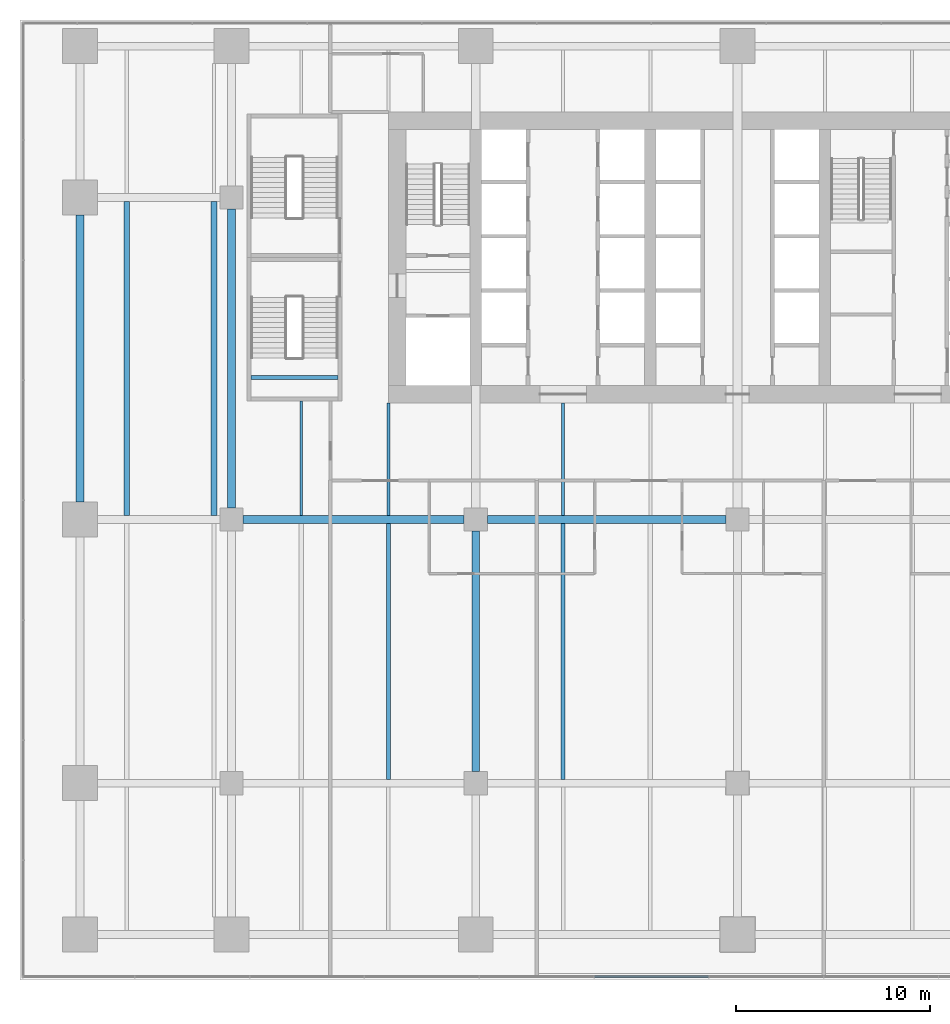
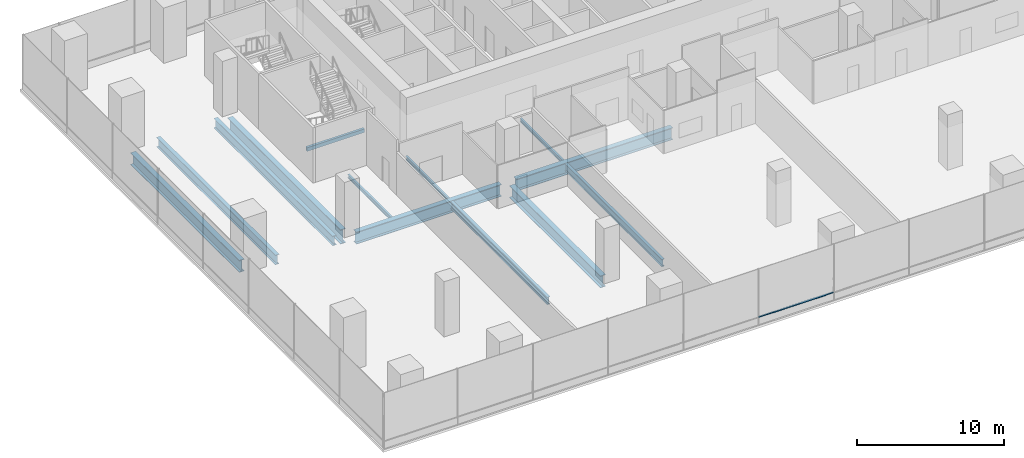
# One storey, part 5 of 29: 13 beams, 1 member, 1 element without a shape of its own.
"""IFC4 building model written with IfcOpenShell, lengths in metres."""

from ifc_helpers import new_model, si_unit, direction, frame, origin, origin_2d, place, context, subcontext, project, spatial, rectangle, i_section, extrude, material, layer, layer_set, material_profile, profile_set, type_object, element, aggregate, save


model = new_model("IFC4")

# Units and contexts
model_context = context("Model", 3, precision=1e-05, world=origin(), true_north=direction((0.0, 1.0)))
body_context = subcontext(model_context, "Body", "Model", "MODEL_VIEW")
ifc_project = project(units=[si_unit("LENGTHUNIT", "METRE"), si_unit("AREAUNIT", "SQUARE_METRE"), si_unit("VOLUMEUNIT", "CUBIC_METRE"), si_unit("PLANEANGLEUNIT", "RADIAN"), si_unit("MASSUNIT", "GRAM", prefix="KILO")], contexts=[model_context])

# Site, building, storey
site_placement = place(None, origin())
site = spatial("IfcSite", under=ifc_project, at=site_placement, CompositionType="ELEMENT")
building_placement = place(site_placement, origin())
building = spatial("IfcBuilding", under=site, at=building_placement, Name="Rattan Terrace Tower", CompositionType="ELEMENT")
storey_placement = place(building_placement, frame((0.0, 0.0, 12.60009765625)))
storey = spatial("IfcBuildingStorey", under=building, at=storey_placement, Name="L02", CompositionType="ELEMENT", Elevation=12.60009765625)

# Beams
ifc_material_1 = material(Name="Concrete C40/50", Category="concrete")
ifc_material_profile_1 = material_profile(ifc_material_1, rectangle(XDim=0.199951171875, YDim=0.300048828125, at=origin_2d()), Name="RC 200x300")
ifc_profile_set_1 = profile_set([ifc_material_profile_1], Name="Concrete C40/50")
beam_type_1 = type_object("IfcBeamType", Name="Core landing beam RC 200x300", PredefinedType="BEAM", material=ifc_profile_set_1)
beam_1_placement = place(storey_placement, frame((-25.10009765625, -6.18505859375, 2.0498046875), z_axis=(1.0, 0.0, 0.0), x_axis=(0.0, 1.0, 0.0)))
element("IfcBeam", 1, at=beam_1_placement, inside=storey, type_object=beam_type_1, Name="st-S4-L02 landing 1 edge beam", PredefinedType="BEAM", context=body_context, shape_type="SweptSolid", body=[
    extrude(rectangle(XDim=0.199951171875, YDim=0.300048828125, at=origin_2d()), origin(), (0.0, 0.0, 1.0), 4.5),
])
ifc_material_2 = material(Name="Steel S355", Category="steel")
ifc_material_profile_2 = material_profile(ifc_material_2, i_section(OverallWidth=0.300048828125, OverallDepth=0.800048828125, WebThickness=0.017578125, FlangeThickness=0.032958984375, FilletRadius=0.030029296875, at=origin_2d()), Name="HE 800 B")
ifc_profile_set_2 = profile_set([ifc_material_profile_2], Name="Steel S355")
beam_type_2 = type_object("IfcBeamType", Name="Frame floor beam HE 800 B", PredefinedType="JOIST", material=ifc_profile_set_2)
for number, where, z_axis, x_axis, name in (
    (2, (-31.5, -13.300048828125, -0.60009765625), (0.0, 1.0, 0.0), (-1.0, 0.0, 0.0), "bm-L02-027"),
    (3, (-27.0, -13.300048828125, -0.60009765625), (0.0, 1.0, 0.0), (-1.0, 0.0, 0.0), "bm-L02-028"),
):
    element("IfcBeam", number, at=place(storey_placement, frame(where, z_axis=z_axis, x_axis=x_axis)), inside=storey, type_object=beam_type_2, Name=name, PredefinedType="JOIST", context=body_context, shape_type="SweptSolid", body=[
        extrude(i_section(OverallWidth=0.300048828125, OverallDepth=0.800048828125, WebThickness=0.017578125, FlangeThickness=0.032958984375, FilletRadius=0.030029296875, at=origin_2d()), origin(), (0.0, 0.0, 1.0), 16.199951171875),
    ])
ifc_material_3 = material(Name="Steel S355", Category="steel")
ifc_material_profile_3 = material_profile(ifc_material_3, i_section(OverallWidth=0.14990234375, OverallDepth=0.300048828125, WebThickness=0.007080078125, FlangeThickness=0.0107421875, FilletRadius=0.014892578125, at=origin_2d()), Name="IPE 300")
ifc_profile_set_3 = profile_set([ifc_material_profile_3], Name="Steel S355")
beam_type_3 = type_object("IfcBeamType", Name="Frame floor beam IPE 300", PredefinedType="JOIST", material=ifc_profile_set_3)
beam_2_placement = place(storey_placement, frame((-22.5, -13.300048828125, -0.35009765625), z_axis=(0.0, 1.0, 0.0), x_axis=(-1.0, 0.0, 0.0)))
element("IfcBeam", 4, at=beam_2_placement, inside=storey, type_object=beam_type_3, Name="bm-L02-029", PredefinedType="JOIST", context=body_context, shape_type="SweptSolid", body=[
    extrude(i_section(OverallWidth=0.14990234375, OverallDepth=0.300048828125, WebThickness=0.007080078125, FlangeThickness=0.0107421875, FilletRadius=0.014892578125, at=origin_2d()), origin(), (0.0, 0.0, 1.0), 5.900146484375),
])
for number, where, z_axis, x_axis, name in (
    (5, (-18.0, -13.300048828125, -0.35009765625), (0.0, 1.0, 0.0), (-1.0, 0.0, 0.0), "bm-L02-030"),
    (6, (-9.0, -13.300048828125, -0.35009765625), (0.0, 1.0, 0.0), (-1.0, 0.0, 0.0), "bm-L02-031"),
):
    element("IfcBeam", number, at=place(storey_placement, frame(where, z_axis=z_axis, x_axis=x_axis)), inside=storey, type_object=beam_type_3, Name=name, PredefinedType="JOIST", context=body_context, shape_type="SweptSolid", body=[
        extrude(i_section(OverallWidth=0.14990234375, OverallDepth=0.300048828125, WebThickness=0.007080078125, FlangeThickness=0.0107421875, FilletRadius=0.014892578125, at=origin_2d()), origin(), (0.0, 0.0, 1.0), 5.800048828125),
    ])
ifc_material_4 = material(Name="Steel S355", Category="steel")
ifc_material_profile_4 = material_profile(ifc_material_4, i_section(OverallWidth=0.22412109375, OverallDepth=0.610107421875, WebThickness=0.014892578125, FlangeThickness=0.02392578125, FilletRadius=0.02392578125, at=origin_2d()), Name="IPE O 600")
ifc_profile_set_4 = profile_set([ifc_material_profile_4], Name="Steel S355")
beam_type_4 = type_object("IfcBeamType", Name="Frame floor beam IPE O 600", PredefinedType="JOIST", material=ifc_profile_set_4)
for number, where, z_axis, x_axis, name in (
    (7, (-18.0, -26.89990234375, -0.505126953125), (0.0, 1.0, 0.0), (-1.0, 0.0, 0.0), "bm-L02-018"),
    (8, (-9.0, -26.89990234375, -0.505126953125), (0.0, 1.0, 0.0), (-1.0, 0.0, 0.0), "bm-L02-019"),
):
    element("IfcBeam", number, at=place(storey_placement, frame(where, z_axis=z_axis, x_axis=x_axis)), inside=storey, type_object=beam_type_4, Name=name, PredefinedType="JOIST", context=body_context, shape_type="SweptSolid", body=[
        extrude(i_section(OverallWidth=0.22412109375, OverallDepth=0.610107421875, WebThickness=0.014892578125, FlangeThickness=0.02392578125, FilletRadius=0.02392578125, at=origin_2d()), origin(), (0.0, 0.0, 1.0), 13.199951171875),
    ])
ifc_material_5 = material(Name="Steel S460", Category="steel")
ifc_material_profile_5 = material_profile(ifc_material_5, i_section(OverallWidth=0.39990234375, OverallDepth=1.0, WebThickness=0.01806640625, FlangeThickness=0.044921875, at=origin_2d()), Name="PG 1000x400-18-45")
ifc_profile_set_5 = profile_set([ifc_material_profile_5], Name="Steel S460")
beam_type_5 = type_object("IfcBeamType", Name="Frame podium girder PG 1000x400-18-45", PredefinedType="USERDEFINED", material=ifc_profile_set_5)
beam_3_placement = place(storey_placement, frame((-13.5, -26.5, -0.7001953125), z_axis=(0.0, 1.0, 0.0), x_axis=(-1.0, 0.0, 0.0)))
element("IfcBeam", 9, at=beam_3_placement, inside=storey, type_object=beam_type_5, Name="gdr-L02-021", ObjectType="PODIUM GIRDER", PredefinedType="USERDEFINED", context=body_context, shape_type="SweptSolid", body=[
    extrude(i_section(OverallWidth=0.39990234375, OverallDepth=1.0, WebThickness=0.01806640625, FlangeThickness=0.044921875, at=origin_2d()), origin(), (0.0, 0.0, 1.0), 12.39990234375),
])
beam_4_placement = place(storey_placement, frame((-25.5, -13.5, -0.7001953125), z_axis=(1.0, 0.0, 0.0), x_axis=(0.0, 1.0, 0.0)))
element("IfcBeam", 10, at=beam_4_placement, inside=storey, type_object=beam_type_5, Name="gdr-L02-028", ObjectType="PODIUM GIRDER", PredefinedType="USERDEFINED", context=body_context, shape_type="SweptSolid", body=[
    extrude(i_section(OverallWidth=0.39990234375, OverallDepth=1.0, WebThickness=0.01806640625, FlangeThickness=0.044921875, at=origin_2d()), origin(), (0.0, 0.0, 1.0), 11.39990234375),
])
beam_5_placement = place(storey_placement, frame((-12.89990234375, -13.5, -0.7001953125), z_axis=(1.0, 0.0, 0.0), x_axis=(0.0, 1.0, 0.0)))
element("IfcBeam", 11, at=beam_5_placement, inside=storey, type_object=beam_type_5, Name="gdr-L02-029", ObjectType="PODIUM GIRDER", PredefinedType="USERDEFINED", context=body_context, shape_type="SweptSolid", body=[
    extrude(i_section(OverallWidth=0.39990234375, OverallDepth=1.0, WebThickness=0.01806640625, FlangeThickness=0.044921875, at=origin_2d()), origin(), (0.0, 0.0, 1.0), 12.2998046875),
])
beam_6_placement = place(storey_placement, frame((-33.89990234375, -12.60009765625, -0.7001953125), z_axis=(0.0, 1.0, 0.0), x_axis=(-1.0, 0.0, 0.0)))
element("IfcBeam", 12, at=beam_6_placement, inside=storey, type_object=beam_type_5, Name="gdr-L02-038", ObjectType="PODIUM GIRDER", PredefinedType="USERDEFINED", context=body_context, shape_type="SweptSolid", body=[
    extrude(i_section(OverallWidth=0.39990234375, OverallDepth=1.0, WebThickness=0.01806640625, FlangeThickness=0.044921875, at=origin_2d()), origin(), (0.0, 0.0, 1.0), 14.800048828125),
])
ifc_material_6 = material(Name="Steel S460", Category="steel")
ifc_material_profile_6 = material_profile(ifc_material_6, i_section(OverallWidth=0.39990234375, OverallDepth=1.199951171875, WebThickness=0.02001953125, FlangeThickness=0.050048828125, at=origin_2d()), Name="PG 1200x400-20-50")
ifc_profile_set_6 = profile_set([ifc_material_profile_6], Name="Steel S460")
beam_type_6 = type_object("IfcBeamType", Name="Frame podium girder PG 1200x400-20-50", PredefinedType="USERDEFINED", material=ifc_profile_set_6)
beam_7_placement = place(storey_placement, frame((-26.10009765625, -12.89990234375, -0.800048828125), z_axis=(0.0, 1.0, 0.0), x_axis=(-1.0, 0.0, 0.0)))
element("IfcBeam", 13, at=beam_7_placement, inside=storey, type_object=beam_type_6, Name="gdr-L02-033", ObjectType="PODIUM GIRDER", PredefinedType="USERDEFINED", context=body_context, shape_type="SweptSolid", body=[
    extrude(i_section(OverallWidth=0.39990234375, OverallDepth=1.199951171875, WebThickness=0.02001953125, FlangeThickness=0.050048828125, at=origin_2d()), origin(), (0.0, 0.0, 1.0), 15.39990234375),
])

# Curtain wall, member
ifc_material_7 = material(Name="Aluminium and glass", Category="aluminium")
ifc_layer = layer(ifc_material_7, 0.1201171875)
ifc_layer_set = layer_set([ifc_layer], Name="Station Storefront Curtain Wall")
curtain_wall_type = type_object("IfcCurtainWallType", Name="Station Storefront Curtain Wall", PredefinedType="NOTDEFINED", material=ifc_layer_set)
curtain_wall_placement = place(storey_placement, origin())
curtain_wall = element("IfcCurtainWall", 14, at=curtain_wall_placement, inside=storey, type_object=curtain_wall_type, Name="Storefront curtain wall L02-4", PredefinedType="NOTDEFINED")
ifc_material_8 = material(Name="Aluminium", Category="aluminium")
ifc_material_profile_7 = material_profile(ifc_material_8, rectangle(XDim=0.10009765625, YDim=0.050048828125, at=origin_2d()), Name="Aluminium 100x50")
ifc_profile_set_7 = profile_set([ifc_material_profile_7], Name="Aluminium")
member_type = type_object("IfcMemberType", Name="Storefront CW Transom 100x50", PredefinedType="USERDEFINED", material=ifc_profile_set_7)
member_placement = place(storey_placement, frame((-7.375, -37.080078125, 0.599853515625), z_axis=(1.0, 0.0, 0.0), x_axis=(0.0, 1.0, 0.0)))
member = element("IfcMember", 15, at=member_placement, type_object=member_type, Name="Transom cwl-L02-004.6", ObjectType="TRANSOM", PredefinedType="USERDEFINED", context=body_context, shape_type="SweptSolid", body=[
    extrude(rectangle(XDim=0.10009765625, YDim=0.050048828125, at=origin_2d()), origin(), (0.0, 0.0, 1.0), 5.8701171875),
])
aggregate(curtain_wall, [member])

save(model, "model.ifc")
